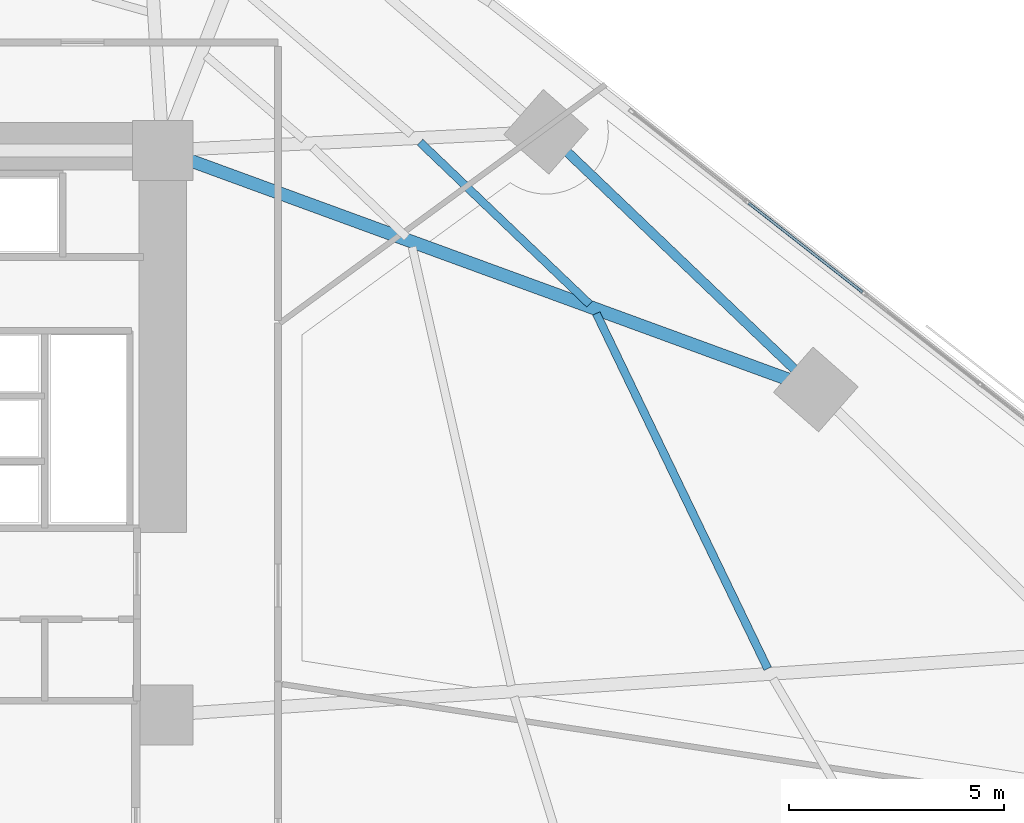
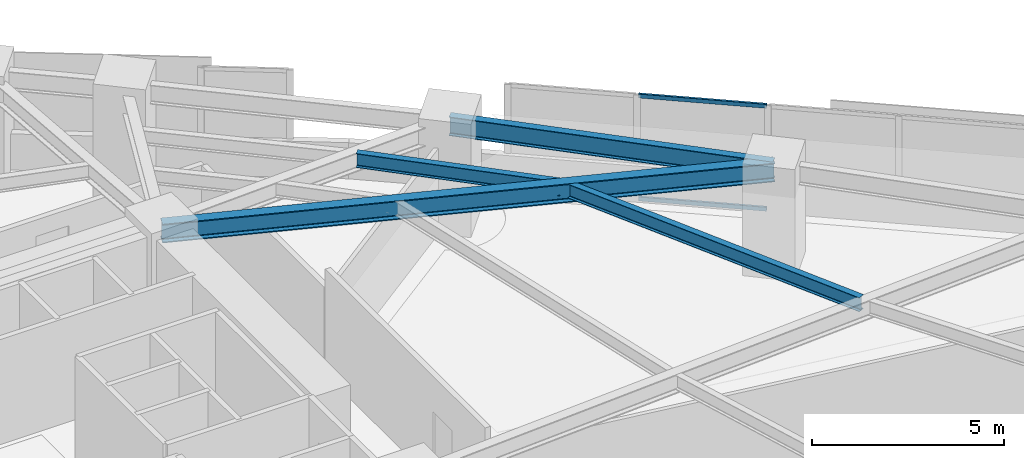
# One storey, part 6 of 16: 4 beams, 2 members, 1 element without a shape of its own.
"""IFC4 building model written with IfcOpenShell, lengths in metres."""

from ifc_helpers import new_model, si_unit, direction, frame, origin, origin_2d, place, context, subcontext, project, spatial, hollow_rectangle, i_section, extrude, material, material_profile, profile_set, type_object, element, aggregate, save


model = new_model("IFC4")

# Units and contexts
model_context = context("Model", 3, precision=1e-05, world=origin(), true_north=direction((0.0, 1.0)))
body_context = subcontext(model_context, "Body", "Model", "MODEL_VIEW")
ifc_project = project(units=[si_unit("LENGTHUNIT", "METRE"), si_unit("AREAUNIT", "SQUARE_METRE"), si_unit("VOLUMEUNIT", "CUBIC_METRE"), si_unit("PLANEANGLEUNIT", "RADIAN"), si_unit("MASSUNIT", "GRAM", prefix="KILO")], contexts=[model_context])

# Site, building, storey
site_placement = place(None, origin())
site = spatial("IfcSite", under=ifc_project, at=site_placement, CompositionType="ELEMENT")
building_placement = place(site_placement, origin())
building = spatial("IfcBuilding", under=site, at=building_placement, Name="Narakoshi Arena Tower", CompositionType="ELEMENT")
storey_placement = place(building_placement, frame((0.0, 0.0, 88.5)))
storey = spatial("IfcBuildingStorey", under=building, at=storey_placement, Name="L23", CompositionType="ELEMENT", Elevation=88.5)

# Beams
ifc_material_1 = material(Name="Structural steel S355J2", Category="steel")
ifc_material_profile_1 = material_profile(ifc_material_1, i_section(OverallWidth=0.219970703125, OverallDepth=0.60009765625, WebThickness=0.011962890625, FlangeThickness=0.01904296875, FilletRadius=0.02392578125, at=origin_2d()), Name="IPE600")
ifc_profile_set_1 = profile_set([ifc_material_profile_1], Name="Structural steel S355J2")
beam_type_1 = type_object("IfcBeamType", Name="BM-EDGE-600", PredefinedType="BEAM", material=ifc_profile_set_1)
beam_1_placement = place(storey_placement, frame((100.76318359375, 50.931640625, 3.0400390625), z_axis=(-0.723088904438, 0.690754975572, 0.0), x_axis=(-0.690754975572, -0.723088904438, 0.0)))
element("IfcBeam", 1, at=beam_1_placement, inside=storey, type_object=beam_type_1, Name="L23 Perimeter Edge Girder 07", PredefinedType="BEAM", context=body_context, shape_type="SweptSolid", body=[
    extrude(i_section(OverallWidth=0.219970703125, OverallDepth=0.60009765625, WebThickness=0.011962890625, FlangeThickness=0.01904296875, FilletRadius=0.02392578125, at=origin_2d()), origin(), (0.0, 0.0, 1.0), 8.690673828125),
])
ifc_material_profile_2 = material_profile(ifc_material_1, i_section(OverallWidth=0.300048828125, OverallDepth=0.60009765625, WebThickness=0.015380859375, FlangeThickness=0.030029296875, FilletRadius=0.027099609375, at=origin_2d()), Name="HE600B")
ifc_profile_set_2 = profile_set([ifc_material_profile_2], Name="Structural steel S355J2")
beam_type_2 = type_object("IfcBeamType", Name="BM-PRI-600", PredefinedType="BEAM", material=ifc_profile_set_2)
beam_2_placement = place(storey_placement, frame((85.550048828125, 56.5, 3.0400390625), z_axis=(0.939071487396, -0.343721895664, 0.0), x_axis=(0.343721895664, 0.939071487396, 0.0)))
element("IfcBeam", 2, at=beam_2_placement, inside=storey, type_object=beam_type_2, Name="L23 Radial Primary Floor Girder 07", PredefinedType="BEAM", context=body_context, shape_type="SweptSolid", body=[
    extrude(i_section(OverallWidth=0.300048828125, OverallDepth=0.60009765625, WebThickness=0.015380859375, FlangeThickness=0.030029296875, FilletRadius=0.027099609375, at=origin_2d()), origin(), (0.0, 0.0, 1.0), 16.2001953125),
])
ifc_material_profile_3 = material_profile(ifc_material_1, i_section(OverallWidth=0.18994140625, OverallDepth=0.449951171875, WebThickness=0.009521484375, FlangeThickness=0.0146484375, FilletRadius=0.02099609375, at=origin_2d()), Name="IPE450")
ifc_profile_set_3 = profile_set([ifc_material_profile_3], Name="Structural steel S355J2")
beam_type_3 = type_object("IfcBeamType", Name="BM-SEC-450", PredefinedType="JOIST", material=ifc_profile_set_3)
beam_3_placement = place(storey_placement, frame((99.6416015625, 44.428955078125, 3.114990234375), z_axis=(-0.434540970974, 0.900652066308, 0.0), x_axis=(-0.900652066308, -0.434540970974, 0.0)))
element("IfcBeam", 3, at=beam_3_placement, inside=storey, type_object=beam_type_3, Name="L23 Composite Secondary Floor Joist 04", PredefinedType="JOIST", context=body_context, shape_type="SweptSolid", body=[
    extrude(i_section(OverallWidth=0.18994140625, OverallDepth=0.449951171875, WebThickness=0.009521484375, FlangeThickness=0.0146484375, FilletRadius=0.02099609375, at=origin_2d()), origin(), (0.0, 0.0, 1.0), 9.187255859375),
])
beam_4_placement = place(storey_placement, frame((95.4931640625, 52.918212890625, 3.114990234375), z_axis=(-0.723113139165, 0.690729605538, 0.0), x_axis=(-0.690729605538, -0.723113139165, 0.0)))
element("IfcBeam", 4, at=beam_4_placement, inside=storey, type_object=beam_type_3, Name="L23 Composite Secondary Floor Joist 06", PredefinedType="JOIST", context=body_context, shape_type="SweptSolid", body=[
    extrude(i_section(OverallWidth=0.18994140625, OverallDepth=0.449951171875, WebThickness=0.009521484375, FlangeThickness=0.0146484375, FilletRadius=0.02099609375, at=origin_2d()), origin(), (0.0, 0.0, 1.0), 5.4658203125),
])

# Curtain wall, members
ifc_material_2 = material(Name="Anodised bronze aluminium 6063-T6", Category="aluminium")
curtain_wall_type = type_object("IfcCurtainWallType", Name="CW-HYP-LOW", PredefinedType="NOTDEFINED", material=ifc_material_2)
curtain_wall_placement = place(storey_placement, origin())
curtain_wall = element("IfcCurtainWall", 5, at=curtain_wall_placement, inside=storey, type_object=curtain_wall_type, Name="L23 Folded Hypotenuse Curtain Wall 1-1", PredefinedType="NOTDEFINED")
ifc_material_profile_4 = material_profile(ifc_material_2, hollow_rectangle(XDim=0.06494140625, YDim=0.1298828125, WallThickness=0.00390625, OuterFilletRadius=0.0048828125, at=origin_2d()), Name="TRN130x65x4")
ifc_profile_set_4 = profile_set([ifc_material_profile_4], Name="Anodised bronze aluminium 6063-T6")
member_type = type_object("IfcMemberType", Name="MEM-TRN-130", PredefinedType="USERDEFINED", material=ifc_profile_set_4)
member_1_placement = place(storey_placement, frame((101.851806640625, 53.196533203125, 0.032470703125), z_axis=(-0.787400998112, 0.616441131149, 0.0), x_axis=(-0.616441131149, -0.787400998112, 0.0)))
member_1 = element("IfcMember", 6, at=member_1_placement, type_object=member_type, Name="CW-01 transom 8.1", ObjectType="TRANSOM", PredefinedType="USERDEFINED", context=body_context, shape_type="SweptSolid", body=[
    extrude(hollow_rectangle(XDim=0.06494140625, YDim=0.1298828125, WallThickness=0.00390625, OuterFilletRadius=0.0048828125, at=origin_2d()), origin(), (0.0, 0.0, 1.0), 3.368896484375),
])
member_2_placement = place(storey_placement, frame((101.851806640625, 53.196533203125, 3.3076171875), z_axis=(-0.787400998112, 0.616441131149, 0.0), x_axis=(-0.616441131149, -0.787400998112, 0.0)))
member_2 = element("IfcMember", 7, at=member_2_placement, type_object=member_type, Name="CW-01 transom 8.2", ObjectType="TRANSOM", PredefinedType="USERDEFINED", context=body_context, shape_type="SweptSolid", body=[
    extrude(hollow_rectangle(XDim=0.06494140625, YDim=0.1298828125, WallThickness=0.00390625, OuterFilletRadius=0.0048828125, at=origin_2d()), origin(), (0.0, 0.0, 1.0), 3.368896484375),
])
aggregate(curtain_wall, [member_1, member_2])

save(model, "model.ifc")
